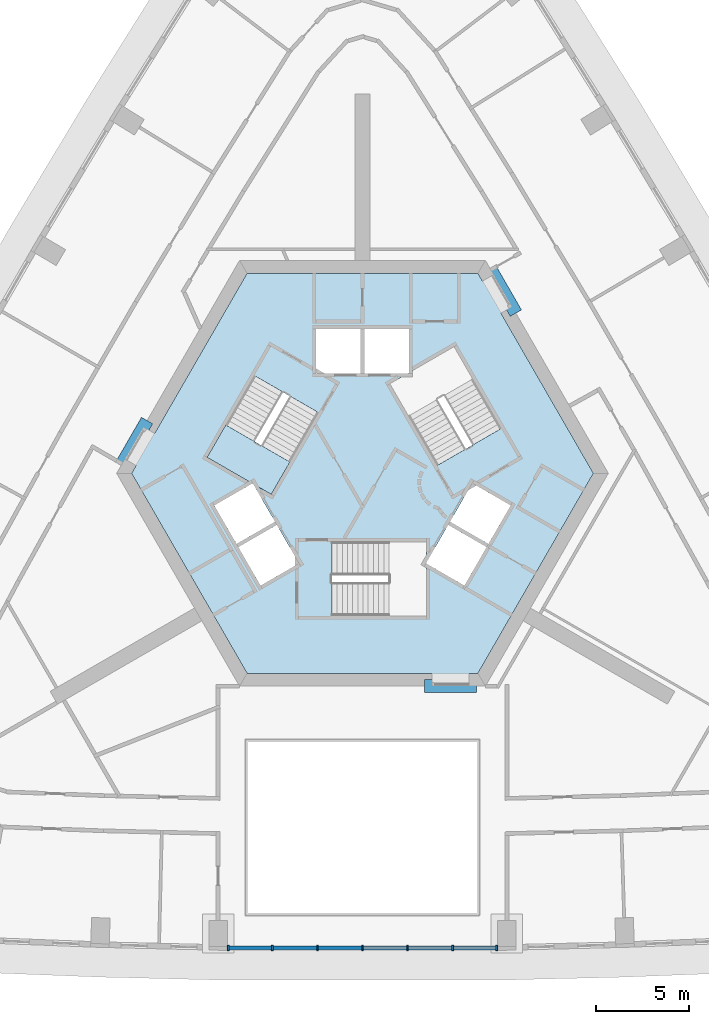
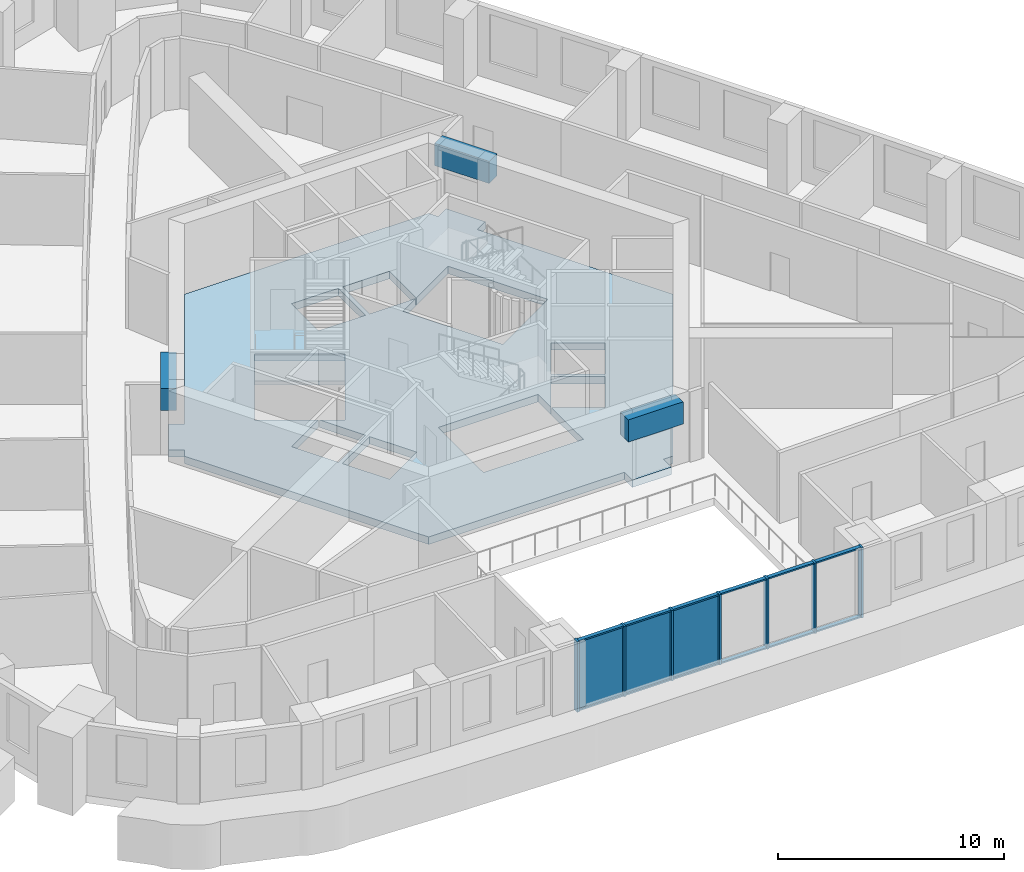
# One storey, part 2 of 13: 19 members, 3 beams, 3 plates, 2 slabs, 2 elements without a shape of their own.
"""IFC4 building model written with IfcOpenShell, lengths in metres."""

from ifc_helpers import new_model, si_unit, direction, frame, origin, origin_2d, place, context, subcontext, project, spatial, polyline, rectangle, outline, extrude, material, layer, layer_set, material_profile, profile_set, type_object, element, aggregate, save


model = new_model("IFC4")

# Units and contexts
model_context = context("Model", 3, precision=1e-05, world=origin(), true_north=direction((0.0, 1.0)))
body_context = subcontext(model_context, "Body", "Model", "MODEL_VIEW")
ifc_project = project(units=[si_unit("LENGTHUNIT", "METRE"), si_unit("AREAUNIT", "SQUARE_METRE"), si_unit("VOLUMEUNIT", "CUBIC_METRE"), si_unit("PLANEANGLEUNIT", "RADIAN"), si_unit("MASSUNIT", "GRAM", prefix="KILO")], contexts=[model_context])

# Site, building, storey
site_placement = place(None, origin())
site = spatial("IfcSite", under=ifc_project, at=site_placement, CompositionType="ELEMENT")
building_placement = place(site_placement, origin())
building = spatial("IfcBuilding", under=site, at=building_placement, Name="Entoto Arch Interchange Tower", CompositionType="ELEMENT")
storey_placement = place(building_placement, frame((0.0, 0.0, 219.199951171875)))
storey = spatial("IfcBuildingStorey", under=building, at=storey_placement, Name="L49", CompositionType="ELEMENT", Elevation=219.199951171875)

# Beams
ifc_material_1 = material(Name="Concrete C50/60", Category="concrete")
ifc_material_profile_1 = material_profile(ifc_material_1, rectangle(XDim=0.699951171875, YDim=1.199951171875, at=origin_2d()))
ifc_profile_set_1 = profile_set([ifc_material_profile_1], Name="Concrete C50/60")
beam_type = type_object("IfcBeamType", Name="Coupling beam RC 700x1200 C50/60", PredefinedType="BEAM", material=ifc_profile_set_1)
for number, where, z_axis, x_axis, name in (
    (1, (8.283935546875, 11.152099609375, 3.0), (-0.500135180047, 0.865947343479, 0.0), (-0.865947343479, -0.500135180047, 0.0), "Coupling beam NE L49"),
    (2, (-11.634033203125, 5.347900390625, 3.0), (-0.500135180047, -0.865947343479, 0.0), (0.865947343479, -0.500135180047, 0.0), "Coupling beam NW L49"),
):
    element("IfcBeam", number, at=place(storey_placement, frame(where, z_axis=z_axis, x_axis=x_axis)), inside=storey, type_object=beam_type, Name=name, PredefinedType="BEAM", context=body_context, shape_type="SweptSolid", body=[
        extrude(rectangle(XDim=0.699951171875, YDim=1.199951171875, at=origin_2d()), origin(), (0.0, 0.0, 1.0), 2.799072265625),
    ])
beam_placement = place(storey_placement, frame((3.35009765625, -9.0, 3.0), z_axis=(1.0, 0.0, 0.0), x_axis=(0.0, 1.0, 0.0)))
element("IfcBeam", 3, at=beam_placement, inside=storey, type_object=beam_type, Name="Coupling beam S L49", PredefinedType="BEAM", context=body_context, shape_type="SweptSolid", body=[
    extrude(rectangle(XDim=0.699951171875, YDim=1.199951171875, at=origin_2d()), origin(), (0.0, 0.0, 1.0), 2.7998046875),
])

# Curtain wall, members
ifc_material_2 = material(Name="Aluminium, anodised", Category="aluminium")
curtain_wall_type = type_object("IfcCurtainWallType", Name="CURTAIN WALL ATRIUM", PredefinedType="NOTDEFINED", material=ifc_material_2)
curtain_wall_placement = place(storey_placement, origin())
curtain_wall = element("IfcCurtainWall", 4, at=curtain_wall_placement, inside=storey, type_object=curtain_wall_type, Name="Atrium glazing S-03 L49", PredefinedType="NOTDEFINED")
ifc_material_profile_2 = material_profile(ifc_material_2, rectangle(XDim=0.300048828125, YDim=0.10009765625, at=origin_2d()))
ifc_profile_set_2 = profile_set([ifc_material_profile_2], Name="Aluminium, anodised")
member_type_1 = type_object("IfcMemberType", Name="MULLION ATRIUM 100x300", PredefinedType="MULLION", material=ifc_profile_set_2)
member_1_placement = place(storey_placement, frame((-7.2490234375, -23.135986328125, 0.0), z_axis=(0.0, 0.0, 1.0), x_axis=(0.0, 1.0, 0.0)))
member_1 = element("IfcMember", 5, at=member_1_placement, type_object=member_type_1, Name="CWA mullion 1", PredefinedType="MULLION", context=body_context, shape_type="SweptSolid", body=[
    extrude(rectangle(XDim=0.300048828125, YDim=0.10009765625, at=origin_2d()), origin(), (0.0, 0.0, 1.0), 3.800048828125),
])
member_2_placement = place(storey_placement, frame((-4.865966796875, -23.135986328125, 0.0), z_axis=(0.0, 0.0, 1.0), x_axis=(0.0, 1.0, 0.0)))
member_2 = element("IfcMember", 6, at=member_2_placement, type_object=member_type_1, Name="CWA mullion 2", PredefinedType="MULLION", context=body_context, shape_type="SweptSolid", body=[
    extrude(rectangle(XDim=0.300048828125, YDim=0.10009765625, at=origin_2d()), origin(), (0.0, 0.0, 1.0), 3.800048828125),
])
member_3_placement = place(storey_placement, frame((-2.43310546875, -23.135986328125, 0.0), z_axis=(0.0, 0.0, 1.0), x_axis=(0.0, 1.0, 0.0)))
member_3 = element("IfcMember", 7, at=member_3_placement, type_object=member_type_1, Name="CWA mullion 3", PredefinedType="MULLION", context=body_context, shape_type="SweptSolid", body=[
    extrude(rectangle(XDim=0.300048828125, YDim=0.10009765625, at=origin_2d()), origin(), (0.0, 0.0, 1.0), 3.800048828125),
])
member_4_placement = place(storey_placement, frame((0.0, -23.135986328125, 0.0), z_axis=(0.0, 0.0, 1.0), x_axis=(0.0, 1.0, 0.0)))
member_4 = element("IfcMember", 8, at=member_4_placement, type_object=member_type_1, Name="CWA mullion 4", PredefinedType="MULLION", context=body_context, shape_type="SweptSolid", body=[
    extrude(rectangle(XDim=0.300048828125, YDim=0.10009765625, at=origin_2d()), origin(), (0.0, 0.0, 1.0), 3.800048828125),
])
member_5_placement = place(storey_placement, frame((2.43310546875, -23.135986328125, 0.0), z_axis=(0.0, 0.0, 1.0), x_axis=(0.0, 1.0, 0.0)))
member_5 = element("IfcMember", 9, at=member_5_placement, type_object=member_type_1, Name="CWA mullion 5", PredefinedType="MULLION", context=body_context, shape_type="SweptSolid", body=[
    extrude(rectangle(XDim=0.300048828125, YDim=0.10009765625, at=origin_2d()), origin(), (0.0, 0.0, 1.0), 3.800048828125),
])
member_6_placement = place(storey_placement, frame((4.865966796875, -23.135986328125, 0.0), z_axis=(0.0, 0.0, 1.0), x_axis=(0.0, 1.0, 0.0)))
member_6 = element("IfcMember", 10, at=member_6_placement, type_object=member_type_1, Name="CWA mullion 6", PredefinedType="MULLION", context=body_context, shape_type="SweptSolid", body=[
    extrude(rectangle(XDim=0.300048828125, YDim=0.10009765625, at=origin_2d()), origin(), (0.0, 0.0, 1.0), 3.800048828125),
])
member_7_placement = place(storey_placement, frame((7.2490234375, -23.135986328125, 0.0), z_axis=(0.0, 0.0, 1.0), x_axis=(0.0, 1.0, 0.0)))
member_7 = element("IfcMember", 11, at=member_7_placement, type_object=member_type_1, Name="CWA mullion 7", PredefinedType="MULLION", context=body_context, shape_type="SweptSolid", body=[
    extrude(rectangle(XDim=0.300048828125, YDim=0.10009765625, at=origin_2d()), origin(), (0.0, 0.0, 1.0), 3.800048828125),
])
ifc_material_profile_3 = material_profile(ifc_material_2, rectangle(XDim=0.199951171875, YDim=0.080078125, at=origin_2d()))
ifc_profile_set_3 = profile_set([ifc_material_profile_3], Name="Aluminium, anodised")
member_type_2 = type_object("IfcMemberType", Name="TRANSOM ATRIUM 80x200", PredefinedType="USERDEFINED", material=ifc_profile_set_3)
member_8_placement = place(storey_placement, frame((-7.198974609375, -23.135986328125, 0.0400390625), z_axis=(1.0, 0.0, 0.0), x_axis=(0.0, 1.0, 0.0)))
member_8 = element("IfcMember", 12, at=member_8_placement, type_object=member_type_2, Name="CWA transom 1.1", ObjectType="TRANSOM", PredefinedType="USERDEFINED", context=body_context, shape_type="SweptSolid", body=[
    extrude(rectangle(XDim=0.199951171875, YDim=0.080078125, at=origin_2d()), origin(), (0.0, 0.0, 1.0), 2.282958984375),
])
member_9_placement = place(storey_placement, frame((-7.198974609375, -23.135986328125, 3.760009765625), z_axis=(1.0, 0.0, 0.0), x_axis=(0.0, 1.0, 0.0)))
member_9 = element("IfcMember", 13, at=member_9_placement, type_object=member_type_2, Name="CWA transom 1.2", ObjectType="TRANSOM", PredefinedType="USERDEFINED", context=body_context, shape_type="SweptSolid", body=[
    extrude(rectangle(XDim=0.199951171875, YDim=0.080078125, at=origin_2d()), origin(), (0.0, 0.0, 1.0), 2.282958984375),
])
member_10_placement = place(storey_placement, frame((-4.81591796875, -23.135986328125, 0.0400390625), z_axis=(1.0, 0.0, 0.0), x_axis=(0.0, 1.0, 0.0)))
member_10 = element("IfcMember", 14, at=member_10_placement, type_object=member_type_2, Name="CWA transom 2.1", ObjectType="TRANSOM", PredefinedType="USERDEFINED", context=body_context, shape_type="SweptSolid", body=[
    extrude(rectangle(XDim=0.199951171875, YDim=0.080078125, at=origin_2d()), origin(), (0.0, 0.0, 1.0), 2.3330078125),
])
member_11_placement = place(storey_placement, frame((-4.81591796875, -23.135986328125, 3.760009765625), z_axis=(1.0, 0.0, 0.0), x_axis=(0.0, 1.0, 0.0)))
member_11 = element("IfcMember", 15, at=member_11_placement, type_object=member_type_2, Name="CWA transom 2.2", ObjectType="TRANSOM", PredefinedType="USERDEFINED", context=body_context, shape_type="SweptSolid", body=[
    extrude(rectangle(XDim=0.199951171875, YDim=0.080078125, at=origin_2d()), origin(), (0.0, 0.0, 1.0), 2.3330078125),
])
member_12_placement = place(storey_placement, frame((-2.383056640625, -23.135986328125, 0.0400390625), z_axis=(1.0, 0.0, 0.0), x_axis=(0.0, 1.0, 0.0)))
member_12 = element("IfcMember", 16, at=member_12_placement, type_object=member_type_2, Name="CWA transom 3.1", ObjectType="TRANSOM", PredefinedType="USERDEFINED", context=body_context, shape_type="SweptSolid", body=[
    extrude(rectangle(XDim=0.199951171875, YDim=0.080078125, at=origin_2d()), origin(), (0.0, 0.0, 1.0), 2.3330078125),
])
member_13_placement = place(storey_placement, frame((-2.383056640625, -23.135986328125, 3.760009765625), z_axis=(1.0, 0.0, 0.0), x_axis=(0.0, 1.0, 0.0)))
member_13 = element("IfcMember", 17, at=member_13_placement, type_object=member_type_2, Name="CWA transom 3.2", ObjectType="TRANSOM", PredefinedType="USERDEFINED", context=body_context, shape_type="SweptSolid", body=[
    extrude(rectangle(XDim=0.199951171875, YDim=0.080078125, at=origin_2d()), origin(), (0.0, 0.0, 1.0), 2.3330078125),
])
member_14_placement = place(storey_placement, frame((0.050048828125, -23.135986328125, 0.0400390625), z_axis=(1.0, 0.0, 0.0), x_axis=(0.0, 1.0, 0.0)))
member_14 = element("IfcMember", 18, at=member_14_placement, type_object=member_type_2, Name="CWA transom 4.1", ObjectType="TRANSOM", PredefinedType="USERDEFINED", context=body_context, shape_type="SweptSolid", body=[
    extrude(rectangle(XDim=0.199951171875, YDim=0.080078125, at=origin_2d()), origin(), (0.0, 0.0, 1.0), 2.3330078125),
])
member_15_placement = place(storey_placement, frame((0.050048828125, -23.135986328125, 3.760009765625), z_axis=(1.0, 0.0, 0.0), x_axis=(0.0, 1.0, 0.0)))
member_15 = element("IfcMember", 19, at=member_15_placement, type_object=member_type_2, Name="CWA transom 4.2", ObjectType="TRANSOM", PredefinedType="USERDEFINED", context=body_context, shape_type="SweptSolid", body=[
    extrude(rectangle(XDim=0.199951171875, YDim=0.080078125, at=origin_2d()), origin(), (0.0, 0.0, 1.0), 2.3330078125),
])
member_16_placement = place(storey_placement, frame((2.48291015625, -23.135986328125, 0.0400390625), z_axis=(1.0, 0.0, 0.0), x_axis=(0.0, 1.0, 0.0)))
member_16 = element("IfcMember", 20, at=member_16_placement, type_object=member_type_2, Name="CWA transom 5.1", ObjectType="TRANSOM", PredefinedType="USERDEFINED", context=body_context, shape_type="SweptSolid", body=[
    extrude(rectangle(XDim=0.199951171875, YDim=0.080078125, at=origin_2d()), origin(), (0.0, 0.0, 1.0), 2.3330078125),
])
member_17_placement = place(storey_placement, frame((2.48291015625, -23.135986328125, 3.760009765625), z_axis=(1.0, 0.0, 0.0), x_axis=(0.0, 1.0, 0.0)))
member_17 = element("IfcMember", 21, at=member_17_placement, type_object=member_type_2, Name="CWA transom 5.2", ObjectType="TRANSOM", PredefinedType="USERDEFINED", context=body_context, shape_type="SweptSolid", body=[
    extrude(rectangle(XDim=0.199951171875, YDim=0.080078125, at=origin_2d()), origin(), (0.0, 0.0, 1.0), 2.3330078125),
])
member_18_placement = place(storey_placement, frame((4.916015625, -23.135986328125, 0.0400390625), z_axis=(1.0, 0.0, 0.0), x_axis=(0.0, 1.0, 0.0)))
member_18 = element("IfcMember", 22, at=member_18_placement, type_object=member_type_2, Name="CWA transom 6.1", ObjectType="TRANSOM", PredefinedType="USERDEFINED", context=body_context, shape_type="SweptSolid", body=[
    extrude(rectangle(XDim=0.199951171875, YDim=0.080078125, at=origin_2d()), origin(), (0.0, 0.0, 1.0), 2.282958984375),
])
member_19_placement = place(storey_placement, frame((4.916015625, -23.135986328125, 3.760009765625), z_axis=(1.0, 0.0, 0.0), x_axis=(0.0, 1.0, 0.0)))
member_19 = element("IfcMember", 23, at=member_19_placement, type_object=member_type_2, Name="CWA transom 6.2", ObjectType="TRANSOM", PredefinedType="USERDEFINED", context=body_context, shape_type="SweptSolid", body=[
    extrude(rectangle(XDim=0.199951171875, YDim=0.080078125, at=origin_2d()), origin(), (0.0, 0.0, 1.0), 2.282958984375),
])

# Slab
ifc_material_3 = material(Name="Concrete C40/50", Category="concrete")
ifc_layer_1 = layer(ifc_material_3, 0.39990234375)
ifc_layer_set_1 = layer_set([ifc_layer_1], Name="Concrete C40/50")
slab_type_1 = type_object("IfcSlabType", Name="Core floor slab 400 C40/50", PredefinedType="FLOOR", material=ifc_layer_set_1)
slab_1_placement = place(storey_placement, frame((0.0, 0.0, -0.39990234375)))
element("IfcSlab", 24, at=slab_1_placement, inside=storey, type_object=slab_type_1, Name="Core floor slab L49", PredefinedType="FLOOR", context=body_context, shape_type="SweptSolid", body=[
    extrude(outline(polyline([(5.75, -9.0), (3.75, -9.0), (3.75, -8.300048828125), (-6.235107421875, -8.300048828125), (-12.470947265625, 2.5), (-12.22802734375, 2.919921875), (-12.833984375, 3.27001953125), (-11.833984375, 5.001953125), (-11.22802734375, 4.652099609375), (-6.235107421875, 13.300048828125), (6.235107421875, 13.300048828125), (6.47802734375, 12.8798828125), (7.083984375, 13.22998046875), (8.083984375, 11.498046875), (7.47802734375, 11.14794921875), (12.470947265625, 2.5), (6.235107421875, -8.300048828125), (5.75, -8.300048828125), (5.75, -9.0)]), holes=[polyline([(-1.64990234375, -5.199951171875), (3.449951171875, -5.199951171875), (3.449951171875, -2.3779296875), (5.5048828125, -3.56494140625), (6.705078125, -1.487060546875), (4.626953125, -0.287109375), (3.449951171875, -2.324951171875), (3.449951171875, -1.199951171875), (-1.64990234375, -1.199951171875), (-1.64990234375, -5.199951171875)]), polyline([(-4.626953125, -0.287109375), (-6.705078125, -1.487060546875), (-5.5048828125, -3.56494140625), (-3.427001953125, -2.364990234375), (-4.626953125, -0.287109375)]), polyline([(-5.904052734375, 1.925048828125), (-4.928955078125, 1.362060546875), (-2.37890625, 5.779052734375), (-5.843017578125, 7.779052734375), (-8.39306640625, 3.362060546875), (-5.949951171875, 1.951904296875), (-8.0048828125, 0.764892578125), (-6.804931640625, -1.31298828125), (-4.72705078125, -0.113037109375), (-5.904052734375, 1.925048828125)]), polyline([(4.72705078125, -0.113037109375), (6.804931640625, -1.31298828125), (8.0048828125, 0.764892578125), (5.927001953125, 1.965087890625), (4.72705078125, -0.113037109375)]), polyline([(2.5, 7.927001953125), (2.5, 10.300048828125), (0.10009765625, 10.300048828125), (0.10009765625, 7.89990234375), (2.452880859375, 7.89990234375), (1.47900390625, 7.337890625), (4.029052734375, 2.9208984375), (7.492919921875, 4.9208984375), (4.943115234375, 9.337890625), (2.5, 7.927001953125)]), polyline([(-2.5, 7.89990234375), (-0.10009765625, 7.89990234375), (-0.10009765625, 10.300048828125), (-2.5, 10.300048828125), (-2.5, 7.89990234375)])]), origin(), (0.0, 0.0, 1.0), 0.39990234375),
])

# Stair, slab
stair_type = type_object("IfcStairType", Name="EXIT STAIR RC 1800", PredefinedType="HALF_TURN_STAIR", material=ifc_material_3)
stair_placement = place(storey_placement, origin())
stair = element("IfcStair", 25, at=stair_placement, inside=storey, type_object=stair_type, Name="L49 Exit stair NW", PredefinedType="HALF_TURN_STAIR")
ifc_layer_2 = layer(ifc_material_3, 0.199951171875)
ifc_layer_set_2 = layer_set([ifc_layer_2], Name="Concrete C40/50")
slab_type_2 = type_object("IfcSlabType", Name="EXIT STAIR LANDING RC 200", PredefinedType="LANDING", material=ifc_layer_set_2)
slab_2_placement = place(storey_placement, frame((0.0, 0.0, 1.900146484375)))
slab_2 = element("IfcSlab", 26, at=slab_2_placement, type_object=slab_type_2, Name="ST-NW landing 1", PredefinedType="LANDING", context=body_context, shape_type="SweptSolid", body=[
    extrude(outline(polyline([(-7.38330078125, 5.111572265625), (-8.393310546875, 3.3623046875), (-4.92919921875, 1.3623046875), (-3.919189453125, 3.111572265625), (-7.38330078125, 5.111572265625)])), origin(), (0.0, 0.0, 1.0), 0.199951171875),
])
aggregate(stair, [slab_2])

# Plate
ifc_material_4 = material(Name="Clear glass, low-e double glazed", Category="glass")
ifc_layer_3 = layer(ifc_material_4, 0.031982421875)
ifc_layer_set_3 = layer_set([ifc_layer_3], Name="Clear glass, low-e double glazed")
plate_type = type_object("IfcPlateType", Name="GLAZING PANEL ATRIUM 32", PredefinedType="CURTAIN_PANEL", material=ifc_layer_set_3)
plate_1_placement = place(storey_placement, frame((-6.0576171875, -23.135986328125, 0.080078125), z_axis=(0.0, 0.0, 1.0), x_axis=(1.0, 0.0, 0.0)))
plate_1 = element("IfcPlate", 27, at=plate_1_placement, type_object=plate_type, Name="CWA panel 1.1", PredefinedType="CURTAIN_PANEL", context=body_context, shape_type="SweptSolid", body=[
    extrude(rectangle(XDim=2.282958984375, YDim=0.031982421875, at=origin_2d()), origin(), (0.0, 0.0, 1.0), 3.639892578125),
])

plate_2_placement = place(storey_placement, frame((-3.6494140625, -23.135986328125, 0.080078125), z_axis=(0.0, 0.0, 1.0), x_axis=(1.0, 0.0, 0.0)))
plate_2 = element("IfcPlate", 28, at=plate_2_placement, type_object=plate_type, Name="CWA panel 2.1", PredefinedType="CURTAIN_PANEL", context=body_context, shape_type="SweptSolid", body=[
    extrude(rectangle(XDim=2.3330078125, YDim=0.031982421875, at=origin_2d()), origin(), (0.0, 0.0, 1.0), 3.639892578125),
])

plate_3_placement = place(storey_placement, frame((-1.216552734375, -23.135986328125, 0.080078125), z_axis=(0.0, 0.0, 1.0), x_axis=(1.0, 0.0, 0.0)))
plate_3 = element("IfcPlate", 29, at=plate_3_placement, type_object=plate_type, Name="CWA panel 3.1", PredefinedType="CURTAIN_PANEL", context=body_context, shape_type="SweptSolid", body=[
    extrude(rectangle(XDim=2.3330078125, YDim=0.031982421875, at=origin_2d()), origin(), (0.0, 0.0, 1.0), 3.639892578125),
])

aggregate(curtain_wall, [member_1, member_2, member_3, member_4, member_5, member_6, member_7, member_8, member_9, plate_1, member_10, member_11, plate_2, member_12, member_13, plate_3, member_14, member_15, member_16, member_17, member_18, member_19])

save(model, "model.ifc")
